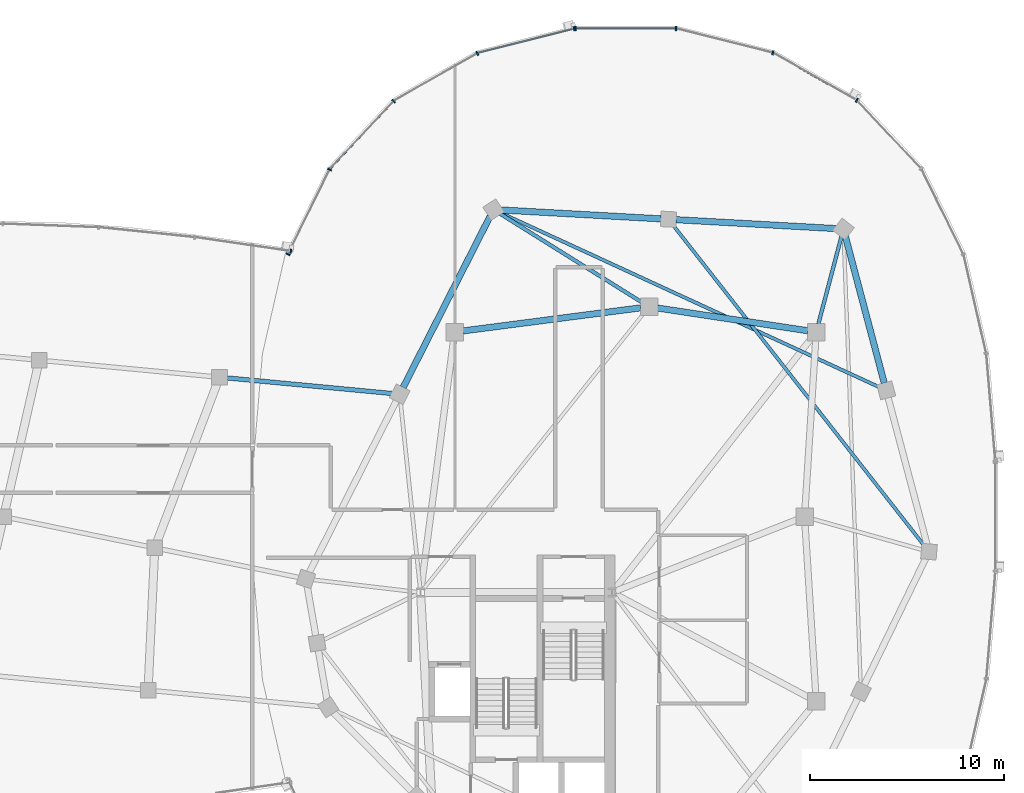
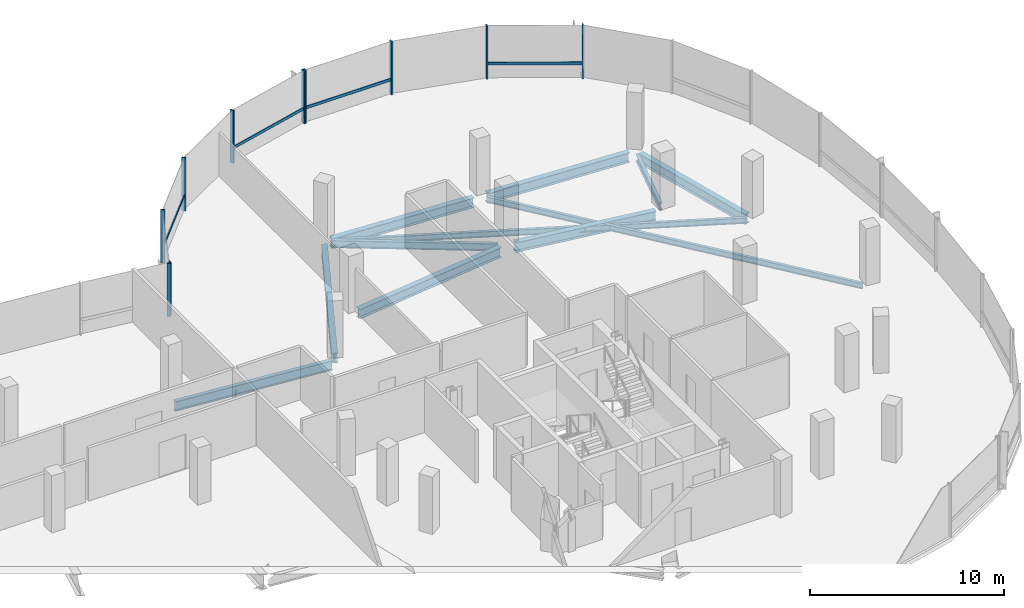
# One storey, part 10 of 24: 14 members, 11 beams, 3 elements without a shape of their own.
"""IFC4 building model written with IfcOpenShell, lengths in metres."""

from ifc_helpers import new_model, si_unit, direction, frame, origin, origin_2d, place, context, subcontext, project, spatial, rectangle, i_section, extrude, material, material_profile, profile_set, type_object, element, aggregate, save


model = new_model("IFC4")

# Units and contexts
model_context = context("Model", 3, precision=1e-05, world=origin(), true_north=direction((0.0, 1.0)))
body_context = subcontext(model_context, "Body", "Model", "MODEL_VIEW")
ifc_project = project(units=[si_unit("LENGTHUNIT", "METRE"), si_unit("AREAUNIT", "SQUARE_METRE"), si_unit("VOLUMEUNIT", "CUBIC_METRE"), si_unit("PLANEANGLEUNIT", "RADIAN"), si_unit("MASSUNIT", "GRAM", prefix="KILO"), si_unit("THERMODYNAMICTEMPERATUREUNIT", "KELVIN"), si_unit("POWERUNIT", "WATT")], contexts=[model_context])

# Site, building, storey
site_placement = place(None, origin())
site = spatial("IfcSite", under=ifc_project, at=site_placement, CompositionType="ELEMENT")
building_placement = place(site_placement, origin())
building = spatial("IfcBuilding", under=site, at=building_placement, Name="Cundina Bronze Exchange", CompositionType="ELEMENT")
storey_placement = place(building_placement, frame((0.0, 0.0, 268.39990234375)))
storey = spatial("IfcBuildingStorey", under=building, at=storey_placement, Name="L71", CompositionType="ELEMENT", Elevation=268.39990234375)

# Beams
ifc_material_1 = material(Name="Steel ASTM A992 Grade 50", Category="steel")
ifc_material_profile_1 = material_profile(ifc_material_1, i_section(OverallWidth=0.19091796875, OverallDepth=0.4599609375, WebThickness=0.010009765625, FlangeThickness=0.01611328125, FilletRadius=0.011962890625, at=origin_2d()), Name="W18X55", Category="steel")
ifc_profile_set_1 = profile_set([ifc_material_profile_1], Name="Steel ASTM A992 Grade 50")
beam_type_1 = type_object("IfcBeamType", Name="BM-FLR-W18B", PredefinedType="BEAM", material=ifc_profile_set_1)
beam_1_placement = place(storey_placement, frame((41.911865234375, 9.923583984375, -0.489990234375), z_axis=(0.255383723615, 0.96683977665, 0.0), x_axis=(-0.96683977665, 0.255383723615, 0.0)))
element("IfcBeam", 1, at=beam_1_placement, inside=storey, type_object=beam_type_1, Name="L71 Leg E Chordal Floor Beam 10", PredefinedType="BEAM", context=body_context, shape_type="SweptSolid", body=[
    extrude(i_section(OverallWidth=0.19091796875, OverallDepth=0.4599609375, WebThickness=0.010009765625, FlangeThickness=0.01611328125, FilletRadius=0.011962890625, at=origin_2d()), origin(), (0.0, 0.0, 1.0), 4.655517578125),
])
beam_2_placement = place(storey_placement, frame((32.82861328125, 11.031982421875, -0.489990234375), z_axis=(-0.847983963552, 0.530021884038, 0.0), x_axis=(-0.530021884038, -0.847983963552, 0.0)))
element("IfcBeam", 2, at=beam_2_placement, inside=storey, type_object=beam_type_1, Name="L71 Leg E Chordal Floor Beam 12", PredefinedType="BEAM", context=body_context, shape_type="SweptSolid", body=[
    extrude(i_section(OverallWidth=0.19091796875, OverallDepth=0.4599609375, WebThickness=0.010009765625, FlangeThickness=0.01611328125, FilletRadius=0.011962890625, at=origin_2d()), origin(), (0.0, 0.0, 1.0), 8.608154296875),
])
ifc_material_profile_2 = material_profile(ifc_material_1, i_section(OverallWidth=0.22998046875, OverallDepth=0.616943359375, WebThickness=0.01318359375, FlangeThickness=0.022216796875, FilletRadius=0.013916015625, at=origin_2d()), Name="W24X94", Category="steel")
ifc_profile_set_2 = profile_set([ifc_material_profile_2], Name="Steel ASTM A992 Grade 50")
beam_type_2 = type_object("IfcBeamType", Name="BM-FLR-W24B", PredefinedType="BEAM", material=ifc_profile_set_2)
beam_3_placement = place(storey_placement, frame((11.285400390625, 7.158203125, -0.62841796875), z_axis=(0.995572136276, -0.094000646124, 0.0), x_axis=(0.094000646124, 0.995572136276, 0.0)))
element("IfcBeam", 3, at=beam_3_placement, inside=storey, type_object=beam_type_2, Name="L71 Sky-Gate Longitudinal Girder Y3-P4", PredefinedType="BEAM", context=body_context, shape_type="SweptSolid", body=[
    extrude(i_section(OverallWidth=0.22998046875, OverallDepth=0.616943359375, WebThickness=0.01318359375, FlangeThickness=0.022216796875, FilletRadius=0.013916015625, at=origin_2d()), origin(), (0.0, 0.0, 1.0), 8.949951171875),
])
ifc_material_profile_3 = material_profile(ifc_material_1, i_section(OverallWidth=0.172119140625, OverallDepth=0.35791015625, WebThickness=0.0078125, FlangeThickness=0.01318359375, FilletRadius=0.010009765625, at=origin_2d()), Name="W14X38", Category="steel")
ifc_profile_set_3 = profile_set([ifc_material_profile_3], Name="Steel ASTM A992 Grade 50")
beam_type_3 = type_object("IfcBeamType", Name="BM-JST-W14", PredefinedType="JOIST", material=ifc_profile_set_3)
beam_4_placement = place(storey_placement, frame((47.360595703125, -1.49462890625, -0.43896484375), z_axis=(-0.616804005008, 0.78711677622, 0.0), x_axis=(-0.78711677622, -0.616804005008, 0.0)))
element("IfcBeam", 4, at=beam_4_placement, inside=storey, type_object=beam_type_3, Name="L71 Leg E Lobe Floor Joist 08-11", PredefinedType="JOIST", context=body_context, shape_type="SweptSolid", body=[
    extrude(i_section(OverallWidth=0.172119140625, OverallDepth=0.35791015625, WebThickness=0.0078125, FlangeThickness=0.01318359375, FilletRadius=0.010009765625, at=origin_2d()), origin(), (0.0, 0.0, 1.0), 20.948974609375),
])
beam_5_placement = place(storey_placement, frame((45.047607421875, 6.662353515625, -0.43896484375), z_axis=(-0.908356175703, 0.418197391266, 0.0), x_axis=(-0.418197391266, -0.908356175703, 0.0)))
element("IfcBeam", 5, at=beam_5_placement, inside=storey, type_object=beam_type_3, Name="L71 Leg E Lobe Floor Joist 09-12", PredefinedType="JOIST", context=body_context, shape_type="SweptSolid", body=[
    extrude(i_section(OverallWidth=0.172119140625, OverallDepth=0.35791015625, WebThickness=0.0078125, FlangeThickness=0.01318359375, FilletRadius=0.010009765625, at=origin_2d()), origin(), (0.0, 0.0, 1.0), 21.4619140625),
])
ifc_material_profile_4 = material_profile(ifc_material_1, i_section(OverallWidth=0.324951171875, OverallDepth=0.615966796875, WebThickness=0.013916015625, FlangeThickness=0.021484375, FilletRadius=0.01611328125, at=origin_2d()), Name="W24X117", Category="steel")
ifc_profile_set_4 = profile_set([ifc_material_profile_4], Name="Steel ASTM A992 Grade 50")
beam_type_4 = type_object("IfcBeamType", Name="BM-RING-W24", PredefinedType="USERDEFINED", material=ifc_profile_set_4)
beam_6_placement = place(storey_placement, frame((41.366943359375, 9.5654296875, -0.56787109375), z_axis=(-0.988764903598, 0.149478979839, 0.0), x_axis=(-0.149478979839, -0.988764903598, 0.0)))
element("IfcBeam", 6, at=beam_6_placement, inside=storey, type_object=beam_type_4, Name="L71 E Inner Structural Ring Girder 05", ObjectType="GIRDER", PredefinedType="USERDEFINED", context=body_context, shape_type="SweptSolid", body=[
    extrude(i_section(OverallWidth=0.324951171875, OverallDepth=0.615966796875, WebThickness=0.013916015625, FlangeThickness=0.021484375, FilletRadius=0.01611328125, at=origin_2d()), origin(), (0.0, 0.0, 1.0), 7.82177734375),
])
beam_7_placement = place(storey_placement, frame((32.765625, 10.743408203125, -0.56787109375), z_axis=(-0.991656498582, -0.128908451316, 0.0), x_axis=(0.128908451316, -0.991656498582, 0.0)))
element("IfcBeam", 7, at=beam_7_placement, inside=storey, type_object=beam_type_4, Name="L71 E Inner Structural Ring Girder 06", ObjectType="GIRDER", PredefinedType="USERDEFINED", context=body_context, shape_type="SweptSolid", body=[
    extrude(i_section(OverallWidth=0.324951171875, OverallDepth=0.615966796875, WebThickness=0.013916015625, FlangeThickness=0.021484375, FilletRadius=0.01611328125, at=origin_2d()), origin(), (0.0, 0.0, 1.0), 9.208251953125),
])
beam_8_placement = place(storey_placement, frame((45.300537109375, 6.875, -0.56787109375), z_axis=(-0.256212999207, 0.966620348967, 0.0), x_axis=(-0.966620348967, -0.256212999207, 0.0)))
element("IfcBeam", 8, at=beam_8_placement, inside=storey, type_object=beam_type_4, Name="L71 E Perimeter Ring Girder 09", ObjectType="GIRDER", PredefinedType="USERDEFINED", context=body_context, shape_type="SweptSolid", body=[
    extrude(i_section(OverallWidth=0.324951171875, OverallDepth=0.615966796875, WebThickness=0.013916015625, FlangeThickness=0.021484375, FilletRadius=0.01611328125, at=origin_2d()), origin(), (0.0, 0.0, 1.0), 7.810791015625),
])
for number, where, z_axis, x_axis, name in (
    (9, (42.8125, 14.821533203125, -0.56787109375), (-0.998459806018, 0.055479868117, 0.0), (-0.055479868117, -0.998459806018, 0.0), "L71 E Perimeter Ring Girder 10"),
    (10, (33.8125, 15.321533203125, -0.56787109375), (-0.998459806018, 0.055479868117, 0.0), (-0.055479868117, -0.998459806018, 0.0), "L71 E Perimeter Ring Girder 11"),
):
    element("IfcBeam", number, at=place(storey_placement, frame(where, z_axis=z_axis, x_axis=x_axis)), inside=storey, type_object=beam_type_4, Name=name, ObjectType="GIRDER", PredefinedType="USERDEFINED", context=body_context, shape_type="SweptSolid", body=[
        extrude(i_section(OverallWidth=0.324951171875, OverallDepth=0.615966796875, WebThickness=0.013916015625, FlangeThickness=0.021484375, FilletRadius=0.01611328125, at=origin_2d()), origin(), (0.0, 0.0, 1.0), 8.23779296875),
    ])
beam_9_placement = place(storey_placement, frame((25.0244140625, 15.4541015625, -0.56787109375), z_axis=(-0.452839263805, -0.891592171991, 0.0), x_axis=(0.891592171991, -0.452839263805, 0.0)))
element("IfcBeam", 11, at=beam_9_placement, inside=storey, type_object=beam_type_4, Name="L71 E Perimeter Ring Girder 12", ObjectType="GIRDER", PredefinedType="USERDEFINED", context=body_context, shape_type="SweptSolid", body=[
    extrude(i_section(OverallWidth=0.324951171875, OverallDepth=0.615966796875, WebThickness=0.013916015625, FlangeThickness=0.021484375, FilletRadius=0.01611328125, at=origin_2d()), origin(), (0.0, 0.0, 1.0), 9.879150390625),
])

# Curtain wall, members
ifc_material_2 = material(Name="Anodised Bronze Aluminium 6063-T6", Category="aluminium")
curtain_wall_type = type_object("IfcCurtainWallType", Name="CWS-SKG-BRG", PredefinedType="NOTDEFINED", material=ifc_material_2)
curtain_wall_1_placement = place(storey_placement, origin())
curtain_wall_1 = element("IfcCurtainWall", 12, at=curtain_wall_1_placement, inside=storey, type_object=curtain_wall_type, Name="L71 CW-06 Curtain Wall Run CWR-L71-E1", PredefinedType="NOTDEFINED")
ifc_material_profile_5 = material_profile(ifc_material_2, rectangle(XDim=0.074951171875, YDim=0.219970703125, at=origin_2d()), Name="AL75X220", Category="aluminium")
ifc_profile_set_5 = profile_set([ifc_material_profile_5], Name="Anodised Bronze Aluminium 6063-T6")
member_type_1 = type_object("IfcMemberType", Name="CWM-MUL-220", PredefinedType="MULLION", material=ifc_profile_set_5)
member_1_placement = place(storey_placement, frame((43.88916015625, 21.419921875, 0.0), z_axis=(0.0, 0.0, 1.0), x_axis=(-0.86958112538, 0.493790103568, 0.0)))
member_1 = element("IfcMember", 13, at=member_1_placement, type_object=member_type_1, Name="CW-06 Mullion 5", PredefinedType="MULLION", context=body_context, shape_type="SweptSolid", body=[
    extrude(rectangle(XDim=0.074951171875, YDim=0.219970703125, at=origin_2d()), origin(), (0.0, 0.0, 1.0), 3.340087890625),
])
member_2_placement = place(storey_placement, frame((39.5703125, 23.86181640625, 0.0), z_axis=(0.0, 0.0, 1.0), x_axis=(-0.969744325821, 0.244122802168, 0.0)))
member_2 = element("IfcMember", 14, at=member_2_placement, type_object=member_type_1, Name="CW-06 Mullion 6", PredefinedType="MULLION", context=body_context, shape_type="SweptSolid", body=[
    extrude(rectangle(XDim=0.074951171875, YDim=0.219970703125, at=origin_2d()), origin(), (0.0, 0.0, 1.0), 3.340087890625),
])
member_3_placement = place(storey_placement, frame((34.576416015625, 25.110107421875, 0.0), z_axis=(0.0, 0.0, 1.0), x_axis=(-1.0, 0.0, 0.0)))
member_3 = element("IfcMember", 15, at=member_3_placement, type_object=member_type_1, Name="CW-06 Mullion 7", PredefinedType="MULLION", context=body_context, shape_type="SweptSolid", body=[
    extrude(rectangle(XDim=0.074951171875, YDim=0.219970703125, at=origin_2d()), origin(), (0.0, 0.0, 1.0), 3.340087890625),
])
member_4_placement = place(storey_placement, frame((29.423583984375, 25.110107421875, 0.0), z_axis=(0.0, 0.0, 1.0), x_axis=(-1.0, 0.0, 0.0)))
member_4 = element("IfcMember", 16, at=member_4_placement, type_object=member_type_1, Name="CW-06 End Mullion", PredefinedType="MULLION", context=body_context, shape_type="SweptSolid", body=[
    extrude(rectangle(XDim=0.074951171875, YDim=0.219970703125, at=origin_2d()), origin(), (0.0, 0.0, 1.0), 3.340087890625),
])

curtain_wall_2_placement = place(storey_placement, origin())
curtain_wall_2 = element("IfcCurtainWall", 17, at=curtain_wall_2_placement, inside=storey, type_object=curtain_wall_type, Name="L71 CW-06 Curtain Wall Run CWR-L71-E2", PredefinedType="NOTDEFINED")
member_5_placement = place(storey_placement, frame((29.351806640625, 25.10107421875, 0.0), z_axis=(0.0, 0.0, 1.0), x_axis=(-0.969744325821, -0.244122802168, 0.0)))
member_5 = element("IfcMember", 18, at=member_5_placement, type_object=member_type_1, Name="CW-06 Mullion 1", PredefinedType="MULLION", context=body_context, shape_type="SweptSolid", body=[
    extrude(rectangle(XDim=0.074951171875, YDim=0.219970703125, at=origin_2d()), origin(), (0.0, 0.0, 1.0), 3.340087890625),
])
member_6_placement = place(storey_placement, frame((24.365478515625, 23.8359375, 0.0), z_axis=(0.0, 0.0, 1.0), x_axis=(-0.86958112538, -0.493790103568, 0.0)))
member_6 = element("IfcMember", 19, at=member_6_placement, type_object=member_type_1, Name="CW-06 Mullion 2", PredefinedType="MULLION", context=body_context, shape_type="SweptSolid", body=[
    extrude(rectangle(XDim=0.074951171875, YDim=0.219970703125, at=origin_2d()), origin(), (0.0, 0.0, 1.0), 3.340087890625),
])
member_7_placement = place(storey_placement, frame((20.059814453125, 21.3798828125, 0.0), z_axis=(0.0, 0.0, 1.0), x_axis=(-0.684292606175, -0.729207535023, 0.0)))
member_7 = element("IfcMember", 20, at=member_7_placement, type_object=member_type_1, Name="CW-06 Mullion 3", PredefinedType="MULLION", context=body_context, shape_type="SweptSolid", body=[
    extrude(rectangle(XDim=0.074951171875, YDim=0.219970703125, at=origin_2d()), origin(), (0.0, 0.0, 1.0), 3.340087890625),
])
member_8_placement = place(storey_placement, frame((16.7666015625, 17.856689453125, 0.0), z_axis=(0.0, 0.0, 1.0), x_axis=(-0.440566004113, -0.897720221461, 0.0)))
member_8 = element("IfcMember", 21, at=member_8_placement, type_object=member_type_1, Name="CW-06 Mullion 4", PredefinedType="MULLION", context=body_context, shape_type="SweptSolid", body=[
    extrude(rectangle(XDim=0.074951171875, YDim=0.219970703125, at=origin_2d()), origin(), (0.0, 0.0, 1.0), 3.340087890625),
])
member_9_placement = place(storey_placement, frame((14.630859375, 13.50390625, 0.0), z_axis=(0.0, 0.0, 1.0), x_axis=(-0.440566004113, -0.897720221461, 0.0)))
member_9 = element("IfcMember", 22, at=member_9_placement, type_object=member_type_1, Name="CW-06 End Mullion", PredefinedType="MULLION", context=body_context, shape_type="SweptSolid", body=[
    extrude(rectangle(XDim=0.074951171875, YDim=0.219970703125, at=origin_2d()), origin(), (0.0, 0.0, 1.0), 3.340087890625),
])

# Curtain wall, member
curtain_wall_3_placement = place(storey_placement, origin())
curtain_wall_3 = element("IfcCurtainWall", 23, at=curtain_wall_3_placement, inside=storey, type_object=curtain_wall_type, Name="L71 CW-06 Curtain Wall Run CWR-L71-BRGN", PredefinedType="NOTDEFINED")
member_10_placement = place(storey_placement, frame((14.779296875, 13.658935546875, 0.0), z_axis=(0.0, 0.0, 1.0), x_axis=(-0.989525789069, 0.144356201001, 0.0)))
member_10 = element("IfcMember", 24, at=member_10_placement, type_object=member_type_1, Name="CW-06 Mullion 1", PredefinedType="MULLION", context=body_context, shape_type="SweptSolid", body=[
    extrude(rectangle(XDim=0.074951171875, YDim=0.219970703125, at=origin_2d()), origin(), (0.0, 0.0, 1.0), 3.280029296875),
])
aggregate(curtain_wall_3, [member_10])

# Member
ifc_material_profile_6 = material_profile(ifc_material_2, rectangle(XDim=0.070068359375, YDim=0.179931640625, at=origin_2d()), Name="AL70X180", Category="aluminium")
ifc_profile_set_6 = profile_set([ifc_material_profile_6], Name="Anodised Bronze Aluminium 6063-T6")
member_type_2 = type_object("IfcMemberType", Name="CWM-TRN-180", PredefinedType="USERDEFINED", material=ifc_profile_set_6)
member_11_placement = place(storey_placement, frame((43.853271484375, 21.440185546875, 0.920166015625), z_axis=(-0.869557366176, 0.493831941989, 0.0), x_axis=(-0.493831941989, -0.869557366176, 0.0)))
member_11 = element("IfcMember", 25, at=member_11_placement, type_object=member_type_2, Name="CW-06 Spandrel Transom 5", ObjectType="TRANSOM", PredefinedType="USERDEFINED", context=body_context, shape_type="SweptSolid", body=[
    extrude(rectangle(XDim=0.070068359375, YDim=0.179931640625, at=origin_2d()), origin(), (0.0, 0.0, 1.0), 4.892822265625),
])

member_12_placement = place(storey_placement, frame((34.53515625, 25.110107421875, 0.920166015625), z_axis=(-1.0, 0.0, 0.0), x_axis=(0.0, -1.0, 0.0)))
member_12 = element("IfcMember", 26, at=member_12_placement, type_object=member_type_2, Name="CW-06 Spandrel Transom 7", ObjectType="TRANSOM", PredefinedType="USERDEFINED", context=body_context, shape_type="SweptSolid", body=[
    extrude(rectangle(XDim=0.070068359375, YDim=0.179931640625, at=origin_2d()), origin(), (0.0, 0.0, 1.0), 5.070556640625),
])

aggregate(curtain_wall_1, [member_1, member_11, member_2, member_3, member_4, member_12])

member_13_placement = place(storey_placement, frame((29.311767578125, 25.091064453125, 0.920166015625), z_axis=(-0.969736547481, -0.244153698478, 0.0), x_axis=(0.244153698478, -0.969736547481, 0.0)))
member_13 = element("IfcMember", 27, at=member_13_placement, type_object=member_type_2, Name="CW-06 Spandrel Transom 1", ObjectType="TRANSOM", PredefinedType="USERDEFINED", context=body_context, shape_type="SweptSolid", body=[
    extrude(rectangle(XDim=0.070068359375, YDim=0.179931640625, at=origin_2d()), origin(), (0.0, 0.0, 1.0), 5.07568359375),
])

member_14_placement = place(storey_placement, frame((20.031494140625, 21.349609375, 0.920166015625), z_axis=(-0.684328474899, -0.729173873944, 0.0), x_axis=(0.729173873944, -0.684328474899, 0.0)))
member_14 = element("IfcMember", 28, at=member_14_placement, type_object=member_type_2, Name="CW-06 Spandrel Transom 3", ObjectType="TRANSOM", PredefinedType="USERDEFINED", context=body_context, shape_type="SweptSolid", body=[
    extrude(rectangle(XDim=0.070068359375, YDim=0.179931640625, at=origin_2d()), origin(), (0.0, 0.0, 1.0), 4.758056640625),
])

aggregate(curtain_wall_2, [member_5, member_13, member_6, member_7, member_14, member_8, member_9])

save(model, "model.ifc")
